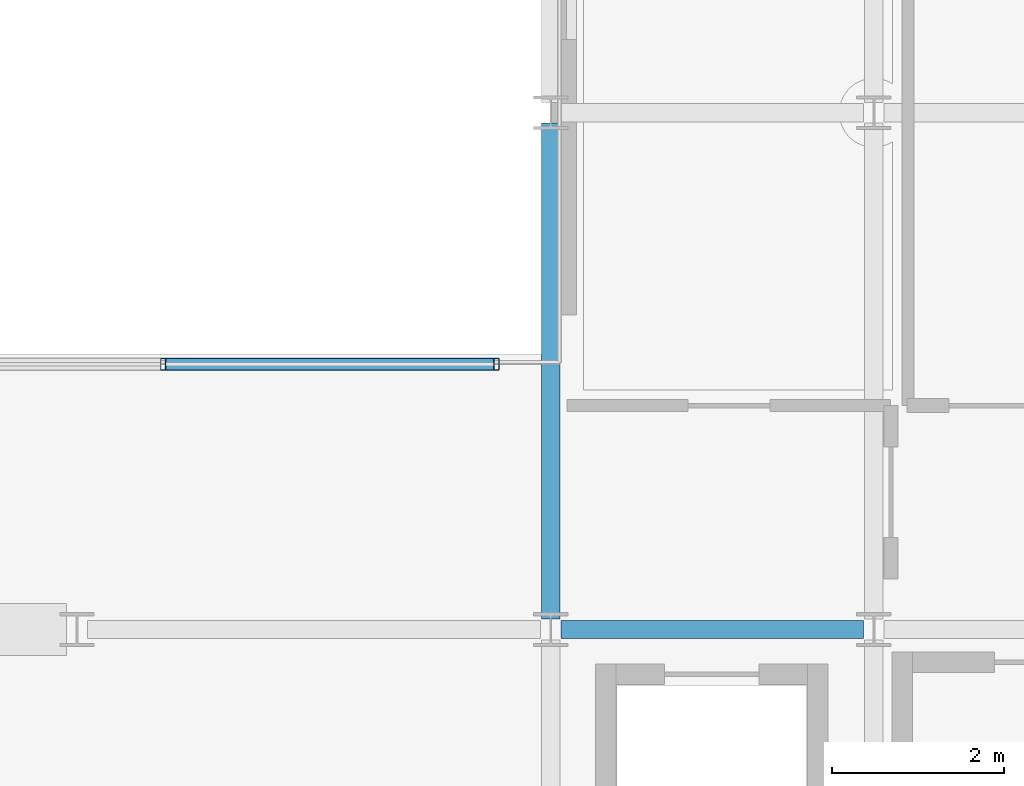
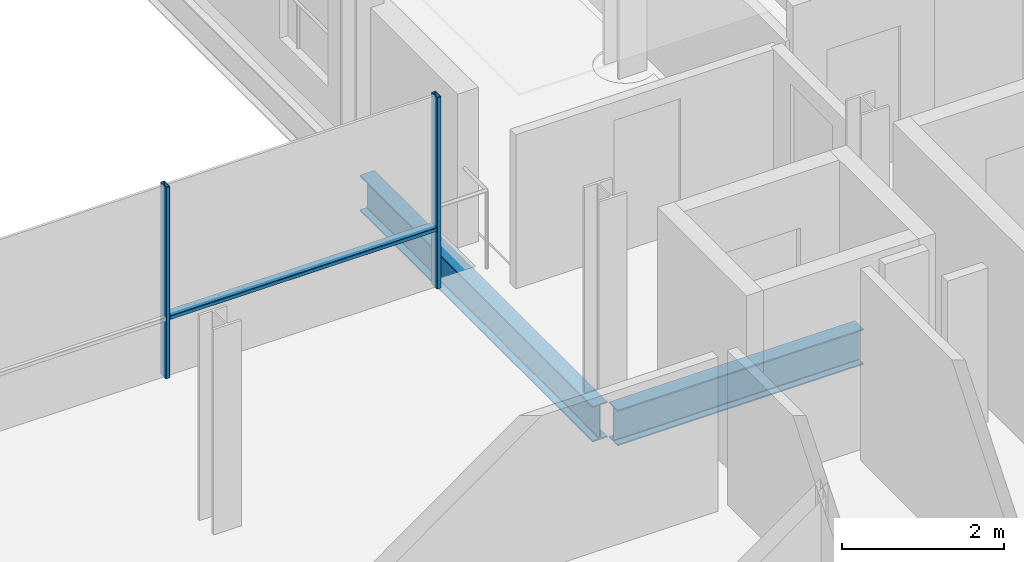
# One storey, part 16 of 35: 3 members, 2 beams, 1 element without a shape of its own.
"""IFC4 building model written with IfcOpenShell, lengths in metres."""

from ifc_helpers import new_model, si_unit, direction, frame, origin, origin_2d, place, context, subcontext, project, spatial, hollow_rectangle, i_section, extrude, material, layer, layer_set, material_profile, profile_set, type_object, element, aggregate, save


model = new_model("IFC4")

# Units and contexts
model_context = context("Model", 3, precision=1e-05, world=origin(), true_north=direction((0.0, 1.0)))
body_context = subcontext(model_context, "Body", "Model", "MODEL_VIEW")
ifc_project = project(units=[si_unit("LENGTHUNIT", "METRE"), si_unit("AREAUNIT", "SQUARE_METRE"), si_unit("VOLUMEUNIT", "CUBIC_METRE"), si_unit("PLANEANGLEUNIT", "RADIAN"), si_unit("MASSUNIT", "GRAM", prefix="KILO")], contexts=[model_context])

# Site, building, storey
site_placement = place(None, origin())
site = spatial("IfcSite", under=ifc_project, at=site_placement, CompositionType="ELEMENT")
building_placement = place(site_placement, origin())
building = spatial("IfcBuilding", under=site, at=building_placement, Name="Brevholm Reach", CompositionType="ELEMENT")
storey_placement = place(building_placement, frame((0.0, 0.0, 183.199951171875)))
storey = spatial("IfcBuildingStorey", under=building, at=storey_placement, Name="L55", CompositionType="ELEMENT", Elevation=183.199951171875)

# Beams
ifc_material_1 = material(Name="Structural Steel S355J2", Category="steel")
ifc_material_profile_1 = material_profile(ifc_material_1, i_section(OverallWidth=0.210693359375, OverallDepth=0.53955078125, WebThickness=0.01171875, FlangeThickness=0.018798828125, FilletRadius=0.0126953125, at=origin_2d()), Name="UKB 533x210x109")
ifc_profile_set_1 = profile_set([ifc_material_profile_1], Name="Structural Steel S355J2")
beam_type = type_object("IfcBeamType", Name="BM-SP539", PredefinedType="SPANDREL", material=ifc_profile_set_1)
beam_1_placement = place(storey_placement, frame((38.3701171875, 10.0, -0.479736328125), z_axis=(1.0, 0.0, 0.0), x_axis=(0.0, 1.0, 0.0)))
element("IfcBeam", 1, at=beam_1_placement, inside=storey, type_object=beam_type, Name="L55 SP-01B Framing Beam", PredefinedType="SPANDREL", context=body_context, shape_type="SweptSolid", body=[
    extrude(i_section(OverallWidth=0.210693359375, OverallDepth=0.53955078125, WebThickness=0.01171875, FlangeThickness=0.018798828125, FilletRadius=0.0126953125, at=origin_2d()), origin(), (0.0, 0.0, 1.0), 3.509765625),
])
beam_2_placement = place(storey_placement, frame((38.25, 10.1201171875, -0.479736328125), z_axis=(0.0, 1.0, 0.0), x_axis=(-1.0, 0.0, 0.0)))
element("IfcBeam", 2, at=beam_2_placement, inside=storey, type_object=beam_type, Name="L55 SP-01B Framing Beam", PredefinedType="SPANDREL", context=body_context, shape_type="SweptSolid", body=[
    extrude(i_section(OverallWidth=0.210693359375, OverallDepth=0.53955078125, WebThickness=0.01171875, FlangeThickness=0.018798828125, FilletRadius=0.0126953125, at=origin_2d()), origin(), (0.0, 0.0, 1.0), 5.759765625),
])

# Curtain wall, members
ifc_material_2 = material(Name="Dark Anodised Aluminium 6063-T6 and Solar-Control Glass", Category="aluminium")
ifc_layer = layer(ifc_material_2, 0.139892578125)
ifc_layer_set = layer_set([ifc_layer], Name="Dark Anodised Aluminium 6063-T6 and Solar-Control Glass")
curtain_wall_type = type_object("IfcCurtainWallType", Name="CW-02", PredefinedType="NOTDEFINED", material=ifc_layer_set)
curtain_wall_placement = place(storey_placement, origin())
curtain_wall = element("IfcCurtainWall", 3, at=curtain_wall_placement, inside=storey, type_object=curtain_wall_type, Name="L55 Curtain Wall CW-02", PredefinedType="NOTDEFINED")
ifc_material_3 = material(Name="Dark Anodised Aluminium 6063-T6", Category="aluminium")
ifc_material_profile_2 = material_profile(ifc_material_3, hollow_rectangle(XDim=0.06005859375, YDim=0.139892578125, WallThickness=0.0048828125, InnerFilletRadius=0.0048828125, OuterFilletRadius=0.010009765625, at=origin_2d()), Name="RHS 140x60x5")
ifc_profile_set_2 = profile_set([ifc_material_profile_2], Name="Dark Anodised Aluminium 6063-T6")
member_type_1 = type_object("IfcMemberType", Name="CWM-140", PredefinedType="MULLION", material=ifc_profile_set_2)
member_1_placement = place(storey_placement, frame((33.75, 13.080078125, 0.0), z_axis=(0.0, 0.0, 1.0), x_axis=(1.0, 0.0, 0.0)))
member_1 = element("IfcMember", 4, at=member_1_placement, type_object=member_type_1, Name="CM-140 Mullion 4", PredefinedType="MULLION", context=body_context, shape_type="SweptSolid", body=[
    extrude(hollow_rectangle(XDim=0.06005859375, YDim=0.139892578125, WallThickness=0.0048828125, InnerFilletRadius=0.0048828125, OuterFilletRadius=0.010009765625, at=origin_2d()), origin(), (0.0, 0.0, 1.0), 2.89013671875),
])
member_2_placement = place(storey_placement, frame((37.6201171875, 13.080078125, 0.0), z_axis=(0.0, 0.0, 1.0), x_axis=(1.0, 0.0, 0.0)))
member_2 = element("IfcMember", 5, at=member_2_placement, type_object=member_type_1, Name="CM-140 Mullion 5", PredefinedType="MULLION", context=body_context, shape_type="SweptSolid", body=[
    extrude(hollow_rectangle(XDim=0.06005859375, YDim=0.139892578125, WallThickness=0.0048828125, InnerFilletRadius=0.0048828125, OuterFilletRadius=0.010009765625, at=origin_2d()), origin(), (0.0, 0.0, 1.0), 2.89013671875),
])
ifc_material_4 = material(Name="Dark Anodised Aluminium 6063-T6", Category="aluminium")
ifc_material_profile_3 = material_profile(ifc_material_4, hollow_rectangle(XDim=0.06005859375, YDim=0.139892578125, WallThickness=0.0048828125, InnerFilletRadius=0.0048828125, OuterFilletRadius=0.010009765625, at=origin_2d()), Name="RHS 140x60x5")
ifc_profile_set_3 = profile_set([ifc_material_profile_3], Name="Dark Anodised Aluminium 6063-T6")
member_type_2 = type_object("IfcMemberType", Name="CWT-140", PredefinedType="NOTDEFINED", material=ifc_profile_set_3)
member_3_placement = place(storey_placement, frame((33.780029296875, 13.080078125, 0.900146484375), z_axis=(1.0, 0.0, 0.0), x_axis=(0.0, 0.0, 1.0)))
member_3 = element("IfcMember", 6, at=member_3_placement, type_object=member_type_2, Name="CT-140 Transom 4.1", ObjectType="TRANSOM", PredefinedType="USERDEFINED", context=body_context, shape_type="SweptSolid", body=[
    extrude(hollow_rectangle(XDim=0.06005859375, YDim=0.139892578125, WallThickness=0.0048828125, InnerFilletRadius=0.0048828125, OuterFilletRadius=0.010009765625, at=origin_2d()), origin(), (0.0, 0.0, 1.0), 3.81005859375),
])
aggregate(curtain_wall, [member_1, member_2, member_3])

save(model, "model.ifc")
